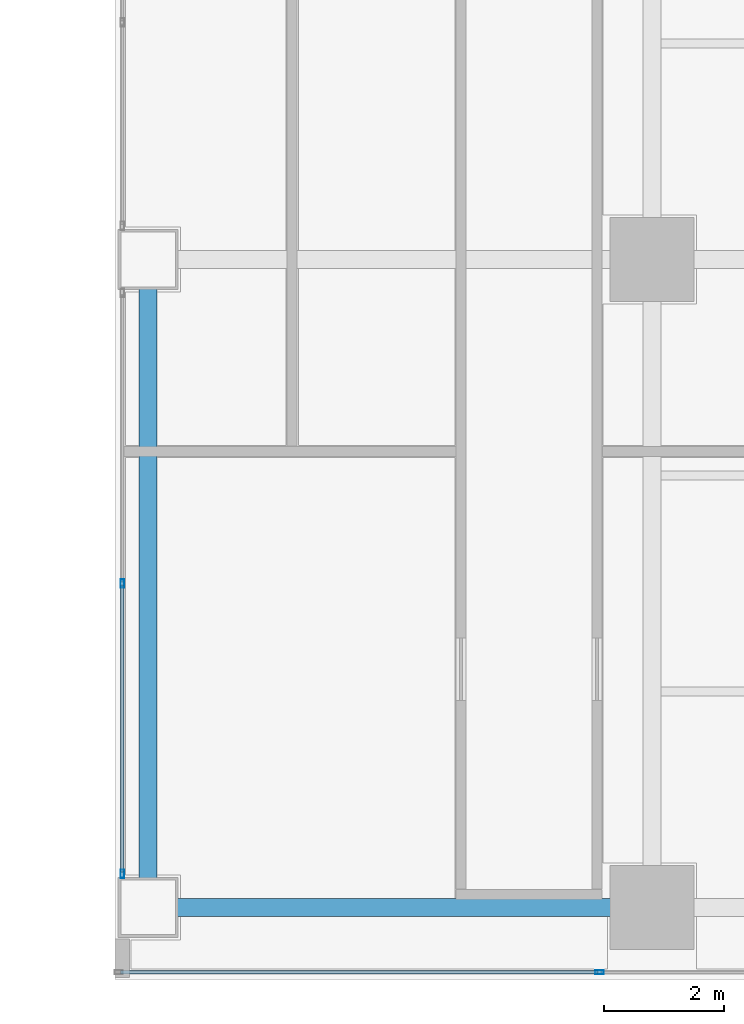
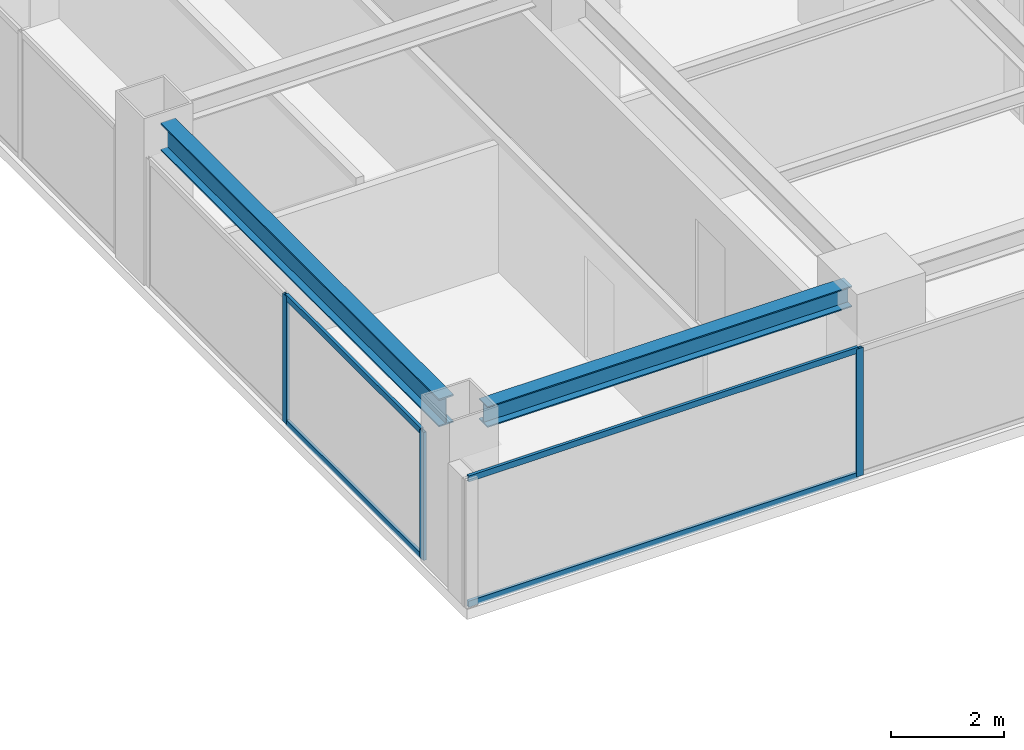
# One storey, part 12 of 29: 7 members, 2 beams, 2 elements without a shape of their own.
"""IFC4 building model written with IfcOpenShell, lengths in metres."""

from ifc_helpers import new_model, si_unit, direction, frame, origin, origin_2d, place, context, subcontext, project, spatial, hollow_rectangle, i_section, extrude, source, transform, mapped, material, layer, layer_set, material_profile, profile_set, type_object, element, aggregate, save


model = new_model("IFC4")

# Units and contexts
model_context = context("Model", 3, precision=1e-05, world=origin(), true_north=direction((0.0, 1.0)))
body_context = subcontext(model_context, "Body", "Model", "MODEL_VIEW")
ifc_project = project(units=[si_unit("LENGTHUNIT", "METRE"), si_unit("AREAUNIT", "SQUARE_METRE"), si_unit("VOLUMEUNIT", "CUBIC_METRE"), si_unit("PLANEANGLEUNIT", "RADIAN"), si_unit("MASSUNIT", "GRAM", prefix="KILO")], contexts=[model_context])

# Site, building, storey
site_placement = place(None, origin())
site = spatial("IfcSite", under=ifc_project, at=site_placement, CompositionType="ELEMENT")
building_placement = place(site_placement, origin())
building = spatial("IfcBuilding", under=site, at=building_placement, Name="Sumidabori Civic Tower", CompositionType="ELEMENT")
storey_placement = place(building_placement, frame((0.0, 0.0, 218.0)))
storey = spatial("IfcBuildingStorey", under=building, at=storey_placement, Name="L56", CompositionType="ELEMENT", Elevation=218.0)

# Beams
ifc_material_1 = material(Name="Steel SN490", Category="steel")
ifc_material_profile_1 = material_profile(ifc_material_1, i_section(OverallWidth=0.300048828125, OverallDepth=0.60009765625, WebThickness=0.015380859375, FlangeThickness=0.030029296875, at=origin_2d()), Name="HE 600 B")
ifc_profile_set_1 = profile_set([ifc_material_profile_1], Name="Steel SN490")
beam_type_1 = type_object("IfcBeamType", Name="BM-GIRD-600", PredefinedType="BEAM", material=ifc_profile_set_1)
shared_shape_1 = source(origin(), body_context, "Body", "SweptSolid", [
    extrude(i_section(OverallWidth=0.300048828125, OverallDepth=0.60009765625, WebThickness=0.015380859375, FlangeThickness=0.030029296875, at=origin_2d()), origin(), (0.0, 0.0, 1.0), 9.840087890625),
])
beam_1_placement = place(storey_placement, frame((8.39990234375, -10.320068359375, 3.080078125), z_axis=(0.0, 1.0, 0.0), x_axis=(-1.0, 0.0, 0.0)))
element("IfcBeam", 1, at=beam_1_placement, inside=storey, type_object=beam_type_1, Name="Primary Girder L56 GY-18", PredefinedType="BEAM", context=body_context, shape_type="MappedRepresentation", body=[
    mapped(shared_shape_1, transform((0.0, 0.0, 0.0), x_axis=(1.0, 0.0, 0.0), y_axis=(0.0, 1.0, 0.0), z_axis=(0.0, 0.0, 1.0), scale=1.0)),
])
ifc_material_profile_2 = material_profile(ifc_material_1, i_section(OverallWidth=0.300048828125, OverallDepth=0.449951171875, WebThickness=0.013916015625, FlangeThickness=0.02587890625, at=origin_2d()), Name="HE 450 B")
ifc_profile_set_2 = profile_set([ifc_material_profile_2], Name="Steel SN490")
beam_type_2 = type_object("IfcBeamType", Name="BM-GIRD-450", PredefinedType="BEAM", material=ifc_profile_set_2)
shared_shape_2 = source(origin(), body_context, "Body", "SweptSolid", [
    extrude(i_section(OverallWidth=0.300048828125, OverallDepth=0.449951171875, WebThickness=0.013916015625, FlangeThickness=0.02587890625, at=origin_2d()), origin(), (0.0, 0.0, 1.0), 7.440185546875),
])
beam_2_placement = place(storey_placement, frame((8.8798828125, -10.800048828125, 3.155029296875), z_axis=(1.0, 0.0, 0.0), x_axis=(0.0, 1.0, 0.0)))
element("IfcBeam", 2, at=beam_2_placement, inside=storey, type_object=beam_type_2, Name="Primary Girder L56 GX-03", PredefinedType="BEAM", context=body_context, shape_type="MappedRepresentation", body=[
    mapped(shared_shape_2, transform((0.0, 0.0, 0.0), x_axis=(1.0, 0.0, 0.0), y_axis=(0.0, 1.0, 0.0), z_axis=(0.0, 0.0, 1.0), scale=1.0)),
])

# Curtain wall, members
ifc_material_2 = material(Name="Anodised Bronze Aluminium AW-6063-T6", Category="aluminium")
ifc_layer_1 = layer(ifc_material_2, 0.179931640625, Name="Anodised Bronze Aluminium AW-6063-T6")
ifc_layer_set_1 = layer_set([ifc_layer_1], Name="Anodised Bronze Aluminium AW-6063-T6")
curtain_wall_type_1 = type_object("IfcCurtainWallType", Name="CW-SYS-4", PredefinedType="NOTDEFINED", material=ifc_layer_set_1)
curtain_wall_1_placement = place(storey_placement, origin())
curtain_wall_1 = element("IfcCurtainWall", 3, at=curtain_wall_1_placement, inside=storey, type_object=curtain_wall_type_1, Name="Curtain Wall CW:L56:R07", PredefinedType="NOTDEFINED")
ifc_material_profile_3 = material_profile(ifc_material_2, hollow_rectangle(XDim=0.06005859375, YDim=0.139892578125, WallThickness=0.0048828125, at=origin_2d()), Name="ALU MULLION 140x60")
ifc_profile_set_3 = profile_set([ifc_material_profile_3], Name="Anodised Bronze Aluminium AW-6063-T6")
member_type_1 = type_object("IfcMemberType", Name="CW-MUL-140", PredefinedType="MULLION", material=ifc_profile_set_3)
shared_shape_3 = source(origin(), body_context, "Body", "SweptSolid", [
    extrude(hollow_rectangle(XDim=0.06005859375, YDim=0.139892578125, WallThickness=0.0048828125, at=origin_2d()), origin(), (0.0, 0.0, 1.0), 2.760009765625),
])
member_1_placement = place(storey_placement, frame((7.969970703125, -5.39990234375, 0.0), z_axis=(0.0, 0.0, 1.0), x_axis=(1.0, 0.0, 0.0)))
member_1 = element("IfcMember", 4, at=member_1_placement, type_object=member_type_1, Name="CW-4 mullion 2", PredefinedType="MULLION", context=body_context, shape_type="MappedRepresentation", body=[
    mapped(shared_shape_3, transform((0.0, 0.0, 0.0), x_axis=(1.0, 0.0, 0.0), y_axis=(0.0, 1.0, 0.0), z_axis=(0.0, 0.0, 1.0), scale=1.0)),
])
member_2_placement = place(storey_placement, frame((7.969970703125, -10.239990234375, 0.0), z_axis=(0.0, 0.0, 1.0), x_axis=(1.0, 0.0, 0.0)))
member_2 = element("IfcMember", 5, at=member_2_placement, type_object=member_type_1, Name="CW-4 mullion 3", PredefinedType="MULLION", context=body_context, shape_type="MappedRepresentation", body=[
    mapped(shared_shape_3, transform((0.0, 0.0, 0.0), x_axis=(1.0, 0.0, 0.0), y_axis=(0.0, 1.0, 0.0), z_axis=(0.0, 0.0, 1.0), scale=1.0)),
])

ifc_layer_2 = layer(ifc_material_2, 0.179931640625, Name="Anodised Bronze Aluminium AW-6063-T6")
ifc_layer_set_2 = layer_set([ifc_layer_2], Name="Anodised Bronze Aluminium AW-6063-T6")
curtain_wall_type_2 = type_object("IfcCurtainWallType", Name="CW-SYS-5", PredefinedType="NOTDEFINED", material=ifc_layer_set_2)
curtain_wall_2_placement = place(storey_placement, origin())
curtain_wall_2 = element("IfcCurtainWall", 6, at=curtain_wall_2_placement, inside=storey, type_object=curtain_wall_type_2, Name="Curtain Wall CW:L56:R09", PredefinedType="NOTDEFINED")
member_3_placement = place(storey_placement, frame((15.925048828125, -11.8798828125, 0.0), z_axis=(0.0, 0.0, 1.0), x_axis=(0.0, 1.0, 0.0)))
member_3 = element("IfcMember", 7, at=member_3_placement, type_object=member_type_1, Name="CW-5 mullion 2", PredefinedType="MULLION", context=body_context, shape_type="MappedRepresentation", body=[
    mapped(shared_shape_3, transform((0.0, 0.0, 0.0), x_axis=(1.0, 0.0, 0.0), y_axis=(0.0, 1.0, 0.0), z_axis=(0.0, 0.0, 1.0), scale=1.0)),
])
ifc_material_profile_4 = material_profile(ifc_material_2, hollow_rectangle(XDim=0.06005859375, YDim=0.1298828125, WallThickness=0.0048828125, at=origin_2d()), Name="ALU TRANSOM 130x60")
ifc_profile_set_4 = profile_set([ifc_material_profile_4], Name="Anodised Bronze Aluminium AW-6063-T6")
member_type_2 = type_object("IfcMemberType", Name="CW-TRN-130", PredefinedType="USERDEFINED", material=ifc_profile_set_4)
shared_shape_4 = source(origin(), body_context, "Body", "SweptSolid", [
    extrude(hollow_rectangle(XDim=0.06005859375, YDim=0.1298828125, WallThickness=0.0048828125, at=origin_2d()), origin(), (0.0, 0.0, 1.0), 7.955078125),
])
member_4_placement = place(storey_placement, frame((7.93994140625, -11.8798828125, 0.030029296875), z_axis=(1.0, 0.0, 0.0), x_axis=(0.0, 1.0, 0.0)))
member_4 = element("IfcMember", 8, at=member_4_placement, type_object=member_type_2, Name="CW-5 transom 1.1", ObjectType="TRANSOM", PredefinedType="USERDEFINED", context=body_context, shape_type="MappedRepresentation", body=[
    mapped(shared_shape_4, transform((0.0, 0.0, 0.0), x_axis=(1.0, 0.0, 0.0), y_axis=(0.0, 1.0, 0.0), z_axis=(0.0, 0.0, 1.0), scale=1.0)),
])
member_5_placement = place(storey_placement, frame((7.93994140625, -11.8798828125, 2.72998046875), z_axis=(1.0, 0.0, 0.0), x_axis=(0.0, 1.0, 0.0)))
member_5 = element("IfcMember", 9, at=member_5_placement, type_object=member_type_2, Name="CW-5 transom 1.2", ObjectType="TRANSOM", PredefinedType="USERDEFINED", context=body_context, shape_type="MappedRepresentation", body=[
    mapped(shared_shape_4, transform((0.0, 0.0, 0.0), x_axis=(1.0, 0.0, 0.0), y_axis=(0.0, 1.0, 0.0), z_axis=(0.0, 0.0, 1.0), scale=1.0)),
])
aggregate(curtain_wall_2, [member_3, member_4, member_5])

# Member
shared_shape_5 = source(origin(), body_context, "Body", "SweptSolid", [
    extrude(hollow_rectangle(XDim=0.06005859375, YDim=0.1298828125, WallThickness=0.0048828125, at=origin_2d()), origin(), (0.0, 0.0, 1.0), 4.780029296875),
])
member_6_placement = place(storey_placement, frame((7.969970703125, -5.429931640625, 0.030029296875), z_axis=(0.0, -1.0, 0.0), x_axis=(1.0, 0.0, 0.0)))
member_6 = element("IfcMember", 10, at=member_6_placement, type_object=member_type_2, Name="CW-4 transom 2.1", ObjectType="TRANSOM", PredefinedType="USERDEFINED", context=body_context, shape_type="MappedRepresentation", body=[
    mapped(shared_shape_5, transform((0.0, 0.0, 0.0), x_axis=(1.0, 0.0, 0.0), y_axis=(0.0, 1.0, 0.0), z_axis=(0.0, 0.0, 1.0), scale=1.0)),
])

member_7_placement = place(storey_placement, frame((7.969970703125, -5.429931640625, 2.72998046875), z_axis=(0.0, -1.0, 0.0), x_axis=(1.0, 0.0, 0.0)))
member_7 = element("IfcMember", 11, at=member_7_placement, type_object=member_type_2, Name="CW-4 transom 2.2", ObjectType="TRANSOM", PredefinedType="USERDEFINED", context=body_context, shape_type="MappedRepresentation", body=[
    mapped(shared_shape_5, transform((0.0, 0.0, 0.0), x_axis=(1.0, 0.0, 0.0), y_axis=(0.0, 1.0, 0.0), z_axis=(0.0, 0.0, 1.0), scale=1.0)),
])

aggregate(curtain_wall_1, [member_1, member_2, member_6, member_7])

save(model, "model.ifc")
